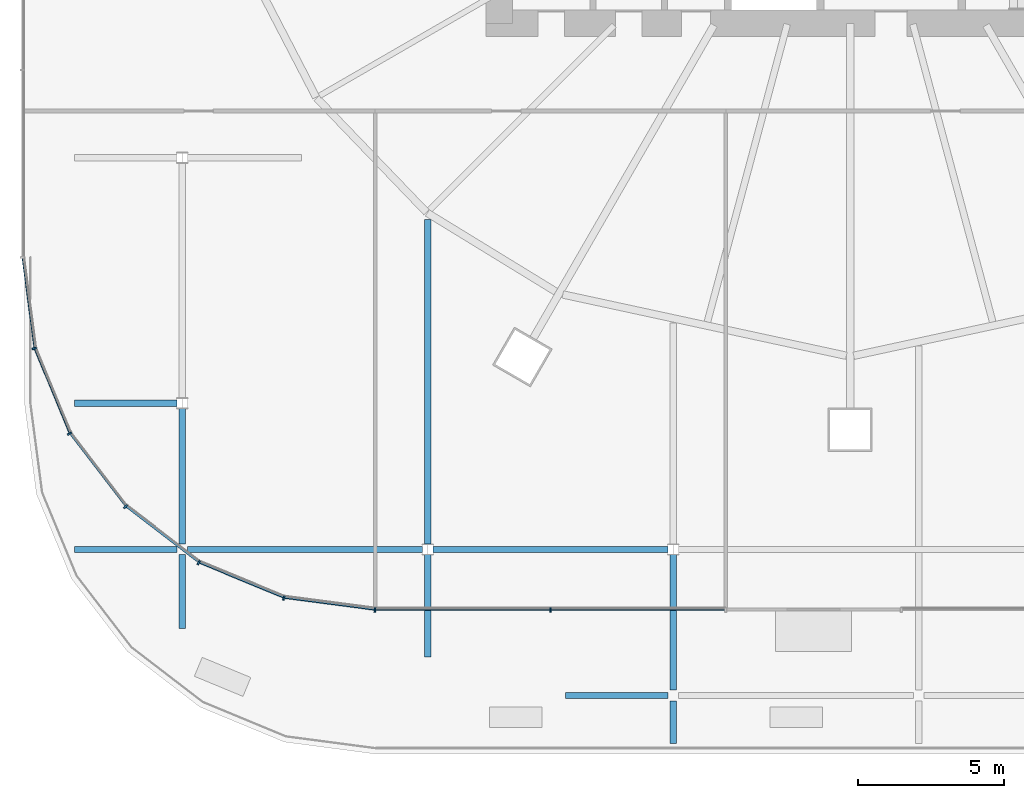
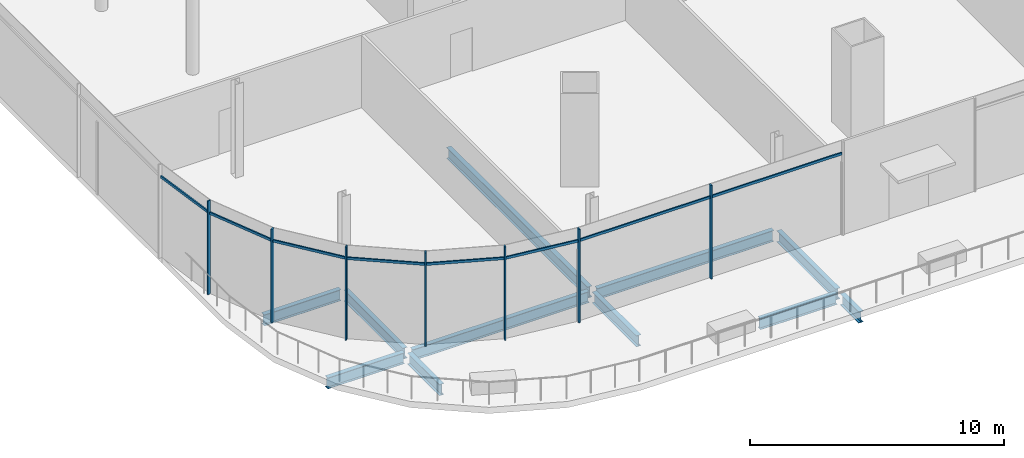
# One storey, part 9 of 52: 15 members, 11 beams, 1 element without a shape of its own.
"""IFC4 building model written with IfcOpenShell, lengths in metres."""

from ifc_helpers import new_model, si_unit, direction, frame, origin, origin_2d, place, context, subcontext, project, spatial, rectangle, i_section, extrude, material, material_profile, profile_set, type_object, element, aggregate, save


model = new_model("IFC4")

# Units and contexts
model_context = context("Model", 3, precision=1e-05, world=origin(), true_north=direction((0.0, 1.0)))
body_context = subcontext(model_context, "Body", "Model", "MODEL_VIEW")
ifc_project = project(units=[si_unit("LENGTHUNIT", "METRE"), si_unit("AREAUNIT", "SQUARE_METRE"), si_unit("VOLUMEUNIT", "CUBIC_METRE"), si_unit("PLANEANGLEUNIT", "RADIAN"), si_unit("MASSUNIT", "GRAM", prefix="KILO")], contexts=[model_context])

# Site, building, storey
site_placement = place(None, origin())
site = spatial("IfcSite", under=ifc_project, at=site_placement, CompositionType="ELEMENT")
building_placement = place(site_placement, origin())
building = spatial("IfcBuilding", under=site, at=building_placement, Name="Rimbun Link Towers", CompositionType="ELEMENT")
storey_placement = place(building_placement, frame((0.0, 0.0, 21.0)))
storey = spatial("IfcBuildingStorey", under=building, at=storey_placement, Name="L04", CompositionType="ELEMENT", Elevation=21.0)

# Curtain wall, members
ifc_material_1 = material(Name="Aluminium 6063-T6 and low-iron glass", Category="aluminium")
curtain_wall_type = type_object("IfcCurtainWallType", Name="CW3 podium shopfront", PredefinedType="NOTDEFINED", material=ifc_material_1)
curtain_wall_placement = place(storey_placement, origin())
curtain_wall = element("IfcCurtainWall", 1, at=curtain_wall_placement, inside=storey, type_object=curtain_wall_type, Name="CW3 L04 PD", PredefinedType="NOTDEFINED")
ifc_material_2 = material(Name="Aluminium 6063-T6", Category="aluminium")
ifc_material_profile_1 = material_profile(ifc_material_2, rectangle(XDim=0.14990234375, YDim=0.06005859375, at=origin_2d()), Name="MULLION 60X150")
ifc_profile_set_1 = profile_set([ifc_material_profile_1], Name="Aluminium 6063-T6")
member_type_1 = type_object("IfcMemberType", Name="CW3 mullion 60X150", PredefinedType="MULLION", material=ifc_profile_set_1)
member_1_placement = place(storey_placement, frame((-59.66357421875, -19.125244140625, 0.0), z_axis=(0.0, 0.0, 1.0), x_axis=(-0.965925910978, -0.258818729038, 0.0)))
member_1 = element("IfcMember", 2, at=member_1_placement, type_object=member_type_1, Name="CW3 mullion", PredefinedType="MULLION", context=body_context, shape_type="SweptSolid", body=[
    extrude(rectangle(XDim=0.14990234375, YDim=0.06005859375, at=origin_2d()), origin(), (0.0, 0.0, 1.0), 4.5),
])
member_2_placement = place(storey_placement, frame((-58.457275390625, -22.03759765625, 0.0), z_axis=(0.0, 0.0, 1.0), x_axis=(-0.866029040155, -0.499993701568, 0.0)))
member_2 = element("IfcMember", 3, at=member_2_placement, type_object=member_type_1, Name="CW3 mullion", PredefinedType="MULLION", context=body_context, shape_type="SweptSolid", body=[
    extrude(rectangle(XDim=0.14990234375, YDim=0.06005859375, at=origin_2d()), origin(), (0.0, 0.0, 1.0), 4.5),
])
member_3_placement = place(storey_placement, frame((-56.538330078125, -24.538330078125, 0.0), z_axis=(0.0, 0.0, 1.0), x_axis=(-0.707106781187, -0.707106781187, 0.0)))
member_3 = element("IfcMember", 4, at=member_3_placement, type_object=member_type_1, Name="CW3 mullion", PredefinedType="MULLION", context=body_context, shape_type="SweptSolid", body=[
    extrude(rectangle(XDim=0.14990234375, YDim=0.06005859375, at=origin_2d()), origin(), (0.0, 0.0, 1.0), 4.5),
])
member_4_placement = place(storey_placement, frame((-54.03759765625, -26.457275390625, 0.0), z_axis=(0.0, 0.0, 1.0), x_axis=(-0.499993701568, -0.866029040155, 0.0)))
member_4 = element("IfcMember", 5, at=member_4_placement, type_object=member_type_1, Name="CW3 mullion", PredefinedType="MULLION", context=body_context, shape_type="SweptSolid", body=[
    extrude(rectangle(XDim=0.14990234375, YDim=0.06005859375, at=origin_2d()), origin(), (0.0, 0.0, 1.0), 4.5),
])
member_5_placement = place(storey_placement, frame((-51.125244140625, -27.66357421875, 0.0), z_axis=(0.0, 0.0, 1.0), x_axis=(-0.258818729038, -0.965925910978, 0.0)))
member_5 = element("IfcMember", 6, at=member_5_placement, type_object=member_type_1, Name="CW3 mullion", PredefinedType="MULLION", context=body_context, shape_type="SweptSolid", body=[
    extrude(rectangle(XDim=0.14990234375, YDim=0.06005859375, at=origin_2d()), origin(), (0.0, 0.0, 1.0), 4.5),
])
member_6_placement = place(storey_placement, frame((-48.0048828125, -28.074951171875, 0.0), z_axis=(0.0, 0.0, 1.0), x_axis=(-0.065405288299, -0.997858781723, 0.0)))
member_6 = element("IfcMember", 7, at=member_6_placement, type_object=member_type_1, Name="CW3 mullion", PredefinedType="MULLION", context=body_context, shape_type="SweptSolid", body=[
    extrude(rectangle(XDim=0.14990234375, YDim=0.06005859375, at=origin_2d()), origin(), (0.0, 0.0, 1.0), 4.5),
])
member_7_placement = place(storey_placement, frame((-42.0, -28.074951171875, 0.0), z_axis=(0.0, 0.0, 1.0), x_axis=(0.0, -1.0, 0.0)))
member_7 = element("IfcMember", 8, at=member_7_placement, type_object=member_type_1, Name="CW3 mullion", PredefinedType="MULLION", context=body_context, shape_type="SweptSolid", body=[
    extrude(rectangle(XDim=0.14990234375, YDim=0.06005859375, at=origin_2d()), origin(), (0.0, 0.0, 1.0), 4.5),
])
ifc_material_3 = material(Name="Aluminium 6063-T6", Category="aluminium")
ifc_material_profile_2 = material_profile(ifc_material_3, rectangle(XDim=0.06005859375, YDim=0.1201171875, at=origin_2d()), Name="TRANSOM 60X120")
ifc_profile_set_2 = profile_set([ifc_material_profile_2], Name="Aluminium 6063-T6")
member_type_2 = type_object("IfcMemberType", Name="CW3 transom 60X120", PredefinedType="USERDEFINED", material=ifc_profile_set_2)
member_8_placement = place(storey_placement, frame((-59.6484375, -19.0830078125, 3.89990234375), z_axis=(-0.130555231638, 0.991441037829, 0.0), x_axis=(-0.991441037829, -0.130555231638, 0.0)))
member_8 = element("IfcMember", 9, at=member_8_placement, type_object=member_type_2, Name="CW3 transom", ObjectType="TRANSOM", PredefinedType="USERDEFINED", context=body_context, shape_type="SweptSolid", body=[
    extrude(rectangle(XDim=0.06005859375, YDim=0.1201171875, at=origin_2d()), origin(), (0.0, 0.0, 1.0), 3.072509765625),
])
member_9_placement = place(storey_placement, frame((-58.45361328125, -21.992919921875, 3.89990234375), z_axis=(-0.382679289053, 0.923881248716, 0.0), x_axis=(-0.923881248716, -0.382679289053, 0.0)))
member_9 = element("IfcMember", 10, at=member_9_placement, type_object=member_type_2, Name="CW3 transom", ObjectType="TRANSOM", PredefinedType="USERDEFINED", context=body_context, shape_type="SweptSolid", body=[
    extrude(rectangle(XDim=0.06005859375, YDim=0.1201171875, at=origin_2d()), origin(), (0.0, 0.0, 1.0), 3.072509765625),
])
member_10_placement = place(storey_placement, frame((-56.54638671875, -24.494384765625, 3.89990234375), z_axis=(-0.608773432314, 0.793344129687, 0.0), x_axis=(-0.793344129687, -0.608773432314, 0.0)))
member_10 = element("IfcMember", 11, at=member_10_placement, type_object=member_type_2, Name="CW3 transom", ObjectType="TRANSOM", PredefinedType="USERDEFINED", context=body_context, shape_type="SweptSolid", body=[
    extrude(rectangle(XDim=0.06005859375, YDim=0.1201171875, at=origin_2d()), origin(), (0.0, 0.0, 1.0), 3.07275390625),
])
member_11_placement = place(storey_placement, frame((-54.056640625, -26.4169921875, 3.89990234375), z_axis=(-0.793344129687, 0.608773432314, 0.0), x_axis=(-0.608773432314, -0.793344129687, 0.0)))
member_11 = element("IfcMember", 12, at=member_11_placement, type_object=member_type_2, Name="CW3 transom", ObjectType="TRANSOM", PredefinedType="USERDEFINED", context=body_context, shape_type="SweptSolid", body=[
    extrude(rectangle(XDim=0.06005859375, YDim=0.1201171875, at=origin_2d()), origin(), (0.0, 0.0, 1.0), 3.07275390625),
])
member_12_placement = place(storey_placement, frame((-51.154296875, -27.62939453125, 3.89990234375), z_axis=(-0.923881248716, 0.382679289053, 0.0), x_axis=(-0.382679289053, -0.923881248716, 0.0)))
member_12 = element("IfcMember", 13, at=member_12_placement, type_object=member_type_2, Name="CW3 transom", ObjectType="TRANSOM", PredefinedType="USERDEFINED", context=body_context, shape_type="SweptSolid", body=[
    extrude(rectangle(XDim=0.06005859375, YDim=0.1201171875, at=origin_2d()), origin(), (0.0, 0.0, 1.0), 3.072509765625),
])
member_13_placement = place(storey_placement, frame((-48.036865234375, -28.049560546875, 3.89990234375), z_axis=(-0.991441037829, 0.130555231638, 0.0), x_axis=(-0.130555231638, -0.991441037829, 0.0)))
member_13 = element("IfcMember", 14, at=member_13_placement, type_object=member_type_2, Name="CW3 transom", ObjectType="TRANSOM", PredefinedType="USERDEFINED", context=body_context, shape_type="SweptSolid", body=[
    extrude(rectangle(XDim=0.06005859375, YDim=0.1201171875, at=origin_2d()), origin(), (0.0, 0.0, 1.0), 3.072509765625),
])
member_14_placement = place(storey_placement, frame((-42.030029296875, -28.053955078125, 3.89990234375), z_axis=(-1.0, 0.0, 0.0), x_axis=(0.0, -1.0, 0.0)))
member_14 = element("IfcMember", 15, at=member_14_placement, type_object=member_type_2, Name="CW3 transom", ObjectType="TRANSOM", PredefinedType="USERDEFINED", context=body_context, shape_type="SweptSolid", body=[
    extrude(rectangle(XDim=0.06005859375, YDim=0.1201171875, at=origin_2d()), origin(), (0.0, 0.0, 1.0), 5.93994140625),
])
member_15_placement = place(storey_placement, frame((-36.030029296875, -28.053955078125, 3.89990234375), z_axis=(-1.0, 0.0, 0.0), x_axis=(0.0, -1.0, 0.0)))
member_15 = element("IfcMember", 16, at=member_15_placement, type_object=member_type_2, Name="CW3 transom", ObjectType="TRANSOM", PredefinedType="USERDEFINED", context=body_context, shape_type="SweptSolid", body=[
    extrude(rectangle(XDim=0.06005859375, YDim=0.1201171875, at=origin_2d()), origin(), (0.0, 0.0, 1.0), 5.93994140625),
])
aggregate(curtain_wall, [member_1, member_2, member_3, member_4, member_5, member_6, member_7, member_8, member_9, member_10, member_11, member_12, member_13, member_14, member_15])

# Beams
ifc_material_4 = material(Name="Steel S355J2", Category="steel")
ifc_material_profile_3 = material_profile(ifc_material_4, i_section(OverallWidth=0.209228515625, OverallDepth=0.533203125, WebThickness=0.010009765625, FlangeThickness=0.015625, at=origin_2d()), Name="UB 533x210x92")
ifc_profile_set_3 = profile_set([ifc_material_profile_3], Name="Steel S355J2")
beam_type = type_object("IfcBeamType", Name="UB 533x210x92", PredefinedType="BEAM", material=ifc_profile_set_3)
for number, where, z_axis, x_axis, name in (
    (17, (-41.485107421875, -31.0, -0.56640625), (1.0, 0.0, 0.0), (0.0, 1.0, 0.0), "Grid beam L04 -31.0"),
    (18, (-58.285400390625, -26.0, -0.56640625), (1.0, 0.0, 0.0), (0.0, 1.0, 0.0), "Grid beam L04 -26.0"),
):
    element("IfcBeam", number, at=place(storey_placement, frame(where, z_axis=z_axis, x_axis=x_axis)), inside=storey, type_object=beam_type, Name=name, PredefinedType="BEAM", context=body_context, shape_type="SweptSolid", body=[
        extrude(i_section(OverallWidth=0.209228515625, OverallDepth=0.533203125, WebThickness=0.010009765625, FlangeThickness=0.015625, at=origin_2d()), origin(), (0.0, 0.0, 1.0), 3.5),
    ])
beam_1_placement = place(storey_placement, frame((-54.414794921875, -26.0, -0.56640625), z_axis=(1.0, 0.0, 0.0), x_axis=(0.0, 1.0, 0.0)))
element("IfcBeam", 19, at=beam_1_placement, inside=storey, type_object=beam_type, Name="Grid beam L04 -26.0", PredefinedType="BEAM", context=body_context, shape_type="SweptSolid", body=[
    extrude(i_section(OverallWidth=0.209228515625, OverallDepth=0.533203125, WebThickness=0.010009765625, FlangeThickness=0.015625, at=origin_2d()), origin(), (0.0, 0.0, 1.0), 8.029541015625),
])
beam_2_placement = place(storey_placement, frame((-46.014892578125, -26.0, -0.56640625), z_axis=(1.0, 0.0, 0.0), x_axis=(0.0, 1.0, 0.0)))
element("IfcBeam", 20, at=beam_2_placement, inside=storey, type_object=beam_type, Name="Grid beam L04 -26.0", PredefinedType="BEAM", context=body_context, shape_type="SweptSolid", body=[
    extrude(i_section(OverallWidth=0.209228515625, OverallDepth=0.533203125, WebThickness=0.010009765625, FlangeThickness=0.015625, at=origin_2d()), origin(), (0.0, 0.0, 1.0), 8.02978515625),
])
beam_3_placement = place(storey_placement, frame((-58.285400390625, -21.0, -0.56640625), z_axis=(1.0, 0.0, 0.0), x_axis=(0.0, 1.0, 0.0)))
element("IfcBeam", 21, at=beam_3_placement, inside=storey, type_object=beam_type, Name="Grid beam L04 -21.0", PredefinedType="BEAM", context=body_context, shape_type="SweptSolid", body=[
    extrude(i_section(OverallWidth=0.209228515625, OverallDepth=0.533203125, WebThickness=0.010009765625, FlangeThickness=0.015625, at=origin_2d()), origin(), (0.0, 0.0, 1.0), 3.5),
])
beam_4_placement = place(storey_placement, frame((-54.60009765625, -28.704833984375, -0.56640625), z_axis=(0.0, 1.0, 0.0), x_axis=(-1.0, 0.0, 0.0)))
element("IfcBeam", 22, at=beam_4_placement, inside=storey, type_object=beam_type, Name="Grid beam L04 -54.6", PredefinedType="BEAM", context=body_context, shape_type="SweptSolid", body=[
    extrude(i_section(OverallWidth=0.209228515625, OverallDepth=0.533203125, WebThickness=0.010009765625, FlangeThickness=0.015625, at=origin_2d()), origin(), (0.0, 0.0, 1.0), 2.52392578125),
])
beam_5_placement = place(storey_placement, frame((-54.60009765625, -25.819091796875, -0.56640625), z_axis=(0.0, 1.0, 0.0), x_axis=(-1.0, 0.0, 0.0)))
element("IfcBeam", 23, at=beam_5_placement, inside=storey, type_object=beam_type, Name="Grid beam L04 -54.6", PredefinedType="BEAM", context=body_context, shape_type="SweptSolid", body=[
    extrude(i_section(OverallWidth=0.209228515625, OverallDepth=0.533203125, WebThickness=0.010009765625, FlangeThickness=0.015625, at=origin_2d()), origin(), (0.0, 0.0, 1.0), 4.63818359375),
])
beam_6_placement = place(storey_placement, frame((-46.199951171875, -29.680908203125, -0.56640625), z_axis=(0.0, 1.0, 0.0), x_axis=(-1.0, 0.0, 0.0)))
element("IfcBeam", 24, at=beam_6_placement, inside=storey, type_object=beam_type, Name="Grid beam L04 -46.2", PredefinedType="BEAM", context=body_context, shape_type="SweptSolid", body=[
    extrude(i_section(OverallWidth=0.209228515625, OverallDepth=0.533203125, WebThickness=0.010009765625, FlangeThickness=0.015625, at=origin_2d()), origin(), (0.0, 0.0, 1.0), 3.5),
])
beam_7_placement = place(storey_placement, frame((-46.199951171875, -25.819091796875, -0.56640625), z_axis=(0.0, 1.0, 0.0), x_axis=(-1.0, 0.0, 0.0)))
element("IfcBeam", 25, at=beam_7_placement, inside=storey, type_object=beam_type, Name="Grid beam L04 -46.2", PredefinedType="BEAM", context=body_context, shape_type="SweptSolid", body=[
    extrude(i_section(OverallWidth=0.209228515625, OverallDepth=0.533203125, WebThickness=0.010009765625, FlangeThickness=0.015625, at=origin_2d()), origin(), (0.0, 0.0, 1.0), 11.1083984375),
])
beam_8_placement = place(storey_placement, frame((-37.800048828125, -32.649169921875, -0.56640625), z_axis=(0.0, 1.0, 0.0), x_axis=(-1.0, 0.0, 0.0)))
element("IfcBeam", 26, at=beam_8_placement, inside=storey, type_object=beam_type, Name="Grid beam L04 -37.8", PredefinedType="BEAM", context=body_context, shape_type="SweptSolid", body=[
    extrude(i_section(OverallWidth=0.209228515625, OverallDepth=0.533203125, WebThickness=0.010009765625, FlangeThickness=0.015625, at=origin_2d()), origin(), (0.0, 0.0, 1.0), 1.46826171875),
])
beam_9_placement = place(storey_placement, frame((-37.800048828125, -30.819091796875, -0.56640625), z_axis=(0.0, 1.0, 0.0), x_axis=(-1.0, 0.0, 0.0)))
element("IfcBeam", 27, at=beam_9_placement, inside=storey, type_object=beam_type, Name="Grid beam L04 -37.8", PredefinedType="BEAM", context=body_context, shape_type="SweptSolid", body=[
    extrude(i_section(OverallWidth=0.209228515625, OverallDepth=0.533203125, WebThickness=0.010009765625, FlangeThickness=0.015625, at=origin_2d()), origin(), (0.0, 0.0, 1.0), 4.63818359375),
])

save(model, "model.ifc")
